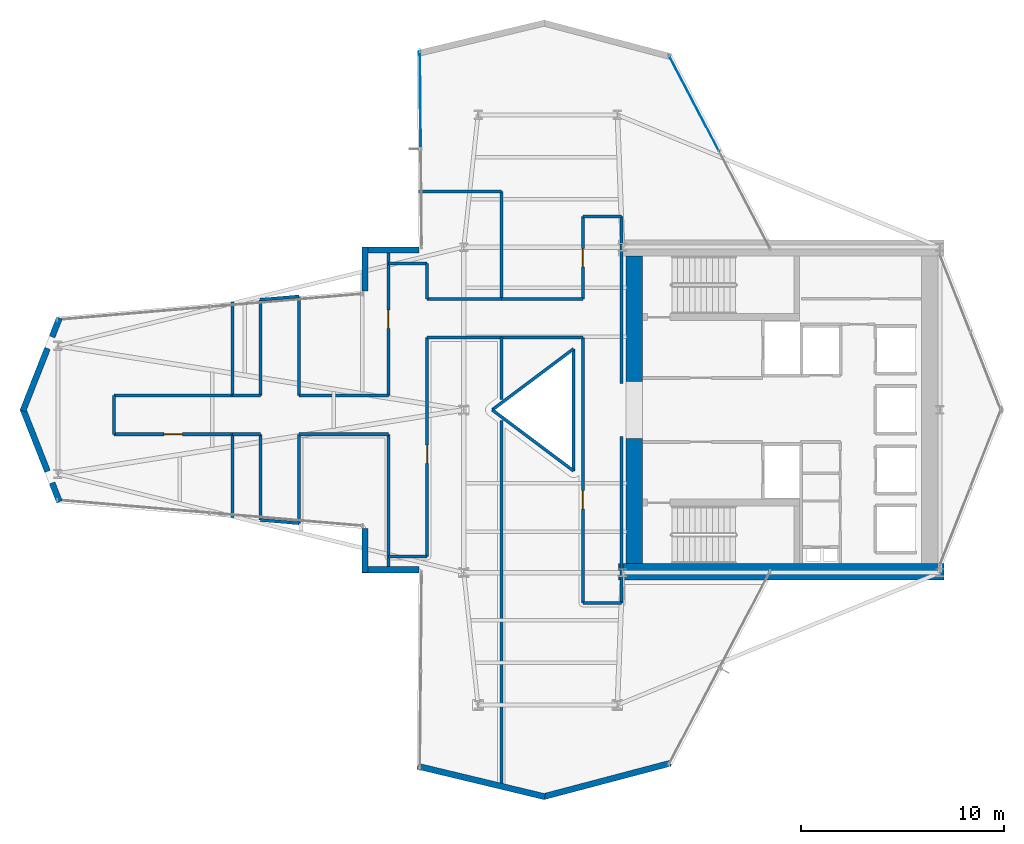
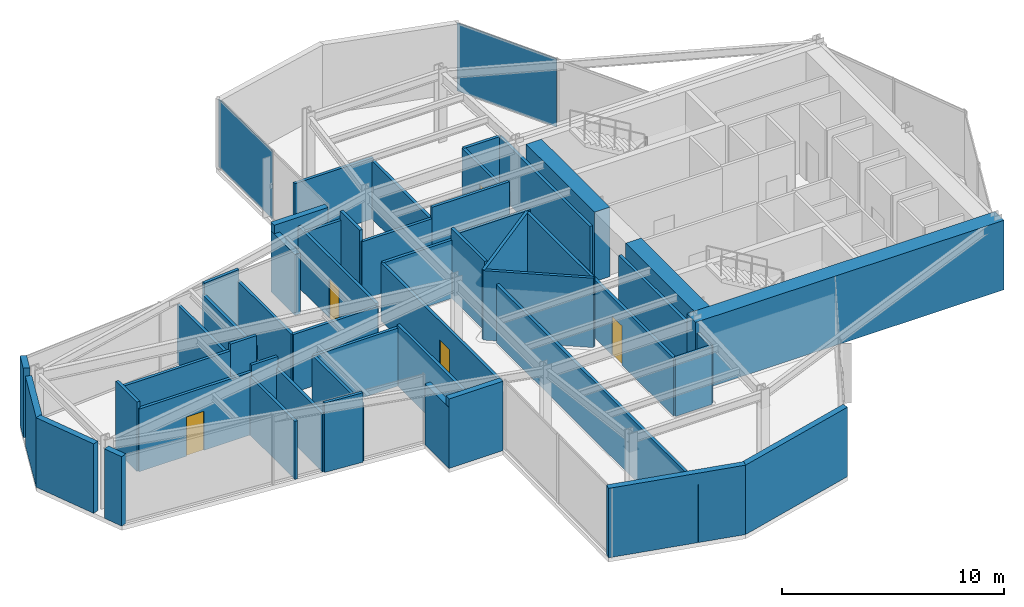
# One storey, part 21 of 25: 51 walls, 5 doors, 2 plates, 5 openings, 2 elements without a shape of their own.
"""IFC4 building model written with IfcOpenShell, lengths in metres."""

from ifc_helpers import new_model, si_unit, direction, frame, frame_2d, origin, origin_2d, place, context, subcontext, project, spatial, rectangle, extrude, material, layer, layer_set, type_object, element, fill, aggregate, save


model = new_model("IFC4")

# Units and contexts
model_context = context("Model", 3, precision=1e-05, world=origin(), true_north=direction((0.0, 1.0)))
body_context = subcontext(model_context, "Body", "Model", "MODEL_VIEW")
ifc_project = project(units=[si_unit("LENGTHUNIT", "METRE"), si_unit("AREAUNIT", "SQUARE_METRE"), si_unit("VOLUMEUNIT", "CUBIC_METRE"), si_unit("PLANEANGLEUNIT", "RADIAN"), si_unit("MASSUNIT", "GRAM", prefix="KILO")], contexts=[model_context])

# Site, building, storey
site_placement = place(None, origin())
site = spatial("IfcSite", under=ifc_project, at=site_placement, CompositionType="ELEMENT")
building_placement = place(site_placement, origin())
building = spatial("IfcBuilding", under=site, at=building_placement, Name="Veymaron Broadcast Tower", CompositionType="ELEMENT")
storey_placement = place(building_placement, frame((0.0, 0.0, 145.199951171875)))
storey = spatial("IfcBuildingStorey", under=building, at=storey_placement, Name="L33", CompositionType="ELEMENT", Elevation=145.199951171875)

# Curtain wall, plate
ifc_material_1 = material(Name="Anodised aluminium AA 6063-T6 and laminated low-E dark glass", Category="aluminium")
ifc_layer_1 = layer(ifc_material_1, 0.179931640625)
ifc_layer_set_1 = layer_set([ifc_layer_1], Name="Anodised aluminium AA 6063-T6 and laminated low-E dark glass")
curtain_wall_type = type_object("IfcCurtainWallType", Name="CW-SYS-03", PredefinedType="NOTDEFINED", material=ifc_layer_set_1)
curtain_wall_1_placement = place(storey_placement, origin())
curtain_wall_1 = element("IfcCurtainWall", 1, at=curtain_wall_1_placement, inside=storey, type_object=curtain_wall_type, Name="L33 dark-glass curtain wall CW-L33-E5-1", PredefinedType="NOTDEFINED")
ifc_material_2 = material(Name="Insulated dark-anodised aluminium spandrel panel 40 mm", Category="aluminium")
ifc_layer_2 = layer(ifc_material_2, 0.0400390625)
ifc_layer_set_2 = layer_set([ifc_layer_2], Name="Insulated dark-anodised aluminium spandrel panel 40 mm")
plate_type = type_object("IfcPlateType", Name="CW-PNL-03", PredefinedType="CURTAIN_PANEL", material=ifc_layer_set_2)
plate_1_placement = place(storey_placement, frame((42.519287109375, 39.06005859375, 0.0400390625), z_axis=(0.0, 0.0, 1.0), x_axis=(-0.46447113214, 0.885588260654, 0.0)))
plate_1 = element("IfcPlate", 2, at=plate_1_placement, type_object=plate_type, Name="CW-L33-E5-1 unitised curtain panel 1", PredefinedType="CURTAIN_PANEL", context=body_context, shape_type="SweptSolid", body=[
    extrude(rectangle(XDim=5.3037109375, YDim=0.0400390625, at=origin_2d()), origin(), (0.0, 0.0, 1.0), 3.72998046875),
])
aggregate(curtain_wall_1, [plate_1])

curtain_wall_2_placement = place(storey_placement, origin())
curtain_wall_2 = element("IfcCurtainWall", 3, at=curtain_wall_2_placement, inside=storey, type_object=curtain_wall_type, Name="L33 dark-glass curtain wall CW-L33-E8-1", PredefinedType="NOTDEFINED")
plate_2_placement = place(storey_placement, frame((29.064697265625, 39.23876953125, 0.0400390625), z_axis=(0.0, 0.0, 1.0), x_axis=(0.009354828341, -0.999956242636, 0.0)))
plate_2 = element("IfcPlate", 4, at=plate_2_placement, type_object=plate_type, Name="CW-L33-E8-1 unitised curtain panel 0", PredefinedType="CURTAIN_PANEL", context=body_context, shape_type="SweptSolid", body=[
    extrude(rectangle(XDim=4.76513671875, YDim=0.0400390625, at=origin_2d()), origin(), (0.0, 0.0, 1.0), 3.72998046875),
])
aggregate(curtain_wall_2, [plate_2])

# Walls
ifc_material_3 = material(Name="Precast concrete C40/50 with mineral-wool insulation", Category="concrete")
ifc_layer_3 = layer(ifc_material_3, 0.300048828125)
ifc_layer_set_3 = layer_set([ifc_layer_3], Name="Precast concrete C40/50 with mineral-wool insulation")
wall_type_1 = type_object("IfcWallType", Name="WALL-EXT-300", PredefinedType="STANDARD", material=ifc_layer_set_3)
wall_1_placement = place(storey_placement, frame((28.992431640625, 31.860107421875, 0.0), z_axis=(0.0, 0.0, 1.0), x_axis=(-1.0, 0.0, 0.0)))
element("IfcWall", 5, at=wall_1_placement, inside=storey, type_object=wall_type_1, Name="L33 notched corner facade pier 9-1", PredefinedType="STANDARD", context=body_context, shape_type="SweptSolid", body=[
    extrude(rectangle(XDim=2.79248046875, YDim=0.300048828125, at=frame_2d((1.396240234375, 0.0))), origin(), (0.0, 0.0, 1.0), 3.81005859375),
])
wall_2_placement = place(storey_placement, frame((26.340087890625, 32.0, 0.0), z_axis=(0.0, 0.0, 1.0), x_axis=(0.0, -1.0, 0.0)))
element("IfcWall", 6, at=wall_2_placement, inside=storey, type_object=wall_type_1, Name="L33 notched corner facade pier 10-1", PredefinedType="STANDARD", context=body_context, shape_type="SweptSolid", body=[
    extrude(rectangle(XDim=2.162109375, YDim=0.300048828125, at=frame_2d((1.0810546875, 0.0))), origin(), (0.0, 0.0, 1.0), 3.338134765625),
])
wall_3_placement = place(storey_placement, frame((11.330078125, 28.514404296875, 0.0), z_axis=(0.0, 0.0, 1.0), x_axis=(-0.36655033137, -0.930398223651, 0.0)))
element("IfcWall", 7, at=wall_3_placement, inside=storey, type_object=wall_type_1, Name="L33 notched corner facade pier 12-1", PredefinedType="STANDARD", context=body_context, shape_type="SweptSolid", body=[
    extrude(rectangle(XDim=0.992431640625, YDim=0.300048828125, at=frame_2d((0.49609375, 0.0))), origin(), (0.0, 0.0, 1.0), 3.81005859375),
])
for number, where, z_axis, x_axis, name in (
    (8, (10.741455078125, 27.021240234375, 0.0), (0.0, 0.0, 1.0), (-0.366733939115, -0.930325866512, 0.0), "L33 notched corner facade pier 12-2"),
    (9, (9.5302734375, 24.05126953125, 0.0), (0.0, 0.0, 1.0), (0.366733939115, -0.930325866512, 0.0), "L33 notched corner facade pier 13-1"),
):
    element("IfcWall", number, at=place(storey_placement, frame(where, z_axis=z_axis, x_axis=x_axis)), inside=storey, type_object=wall_type_1, Name=name, PredefinedType="STANDARD", context=body_context, shape_type="SweptSolid", body=[
        extrude(rectangle(XDim=3.302734375, YDim=0.300048828125, at=frame_2d((1.6513671875, 0.0))), origin(), (0.0, 0.0, 1.0), 3.81005859375),
    ])
wall_4_placement = place(storey_placement, frame((10.96630859375, 20.408935546875, 0.0), z_axis=(0.0, 0.0, 1.0), x_axis=(0.36655033137, -0.930398223651, 0.0)))
element("IfcWall", 10, at=wall_4_placement, inside=storey, type_object=wall_type_1, Name="L33 notched corner facade pier 13-2", PredefinedType="STANDARD", context=body_context, shape_type="SweptSolid", body=[
    extrude(rectangle(XDim=0.992431640625, YDim=0.300048828125, at=frame_2d((0.49609375, 0.0))), origin(), (0.0, 0.0, 1.0), 3.81005859375),
])
wall_5_placement = place(storey_placement, frame((26.340087890625, 18.162109375, 0.0), z_axis=(0.0, 0.0, 1.0), x_axis=(0.0, -1.0, 0.0)))
element("IfcWall", 11, at=wall_5_placement, inside=storey, type_object=wall_type_1, Name="L33 notched corner facade pier 15-1", PredefinedType="STANDARD", context=body_context, shape_type="SweptSolid", body=[
    extrude(rectangle(XDim=2.162109375, YDim=0.300048828125, at=frame_2d((1.0810546875, 0.0))), origin(), (0.0, 0.0, 1.0), 3.338134765625),
])
wall_6_placement = place(storey_placement, frame((26.199951171875, 16.139892578125, 0.0), z_axis=(0.0, 0.0, 1.0), x_axis=(1.0, 0.0, 0.0)))
element("IfcWall", 12, at=wall_6_placement, inside=storey, type_object=wall_type_1, Name="L33 notched corner facade pier 16-1", PredefinedType="STANDARD", context=body_context, shape_type="SweptSolid", body=[
    extrude(rectangle(XDim=2.79248046875, YDim=0.300048828125, at=frame_2d((1.396240234375, 0.0))), origin(), (0.0, 0.0, 1.0), 3.81005859375),
])
wall_7_placement = place(storey_placement, frame((28.934814453125, 6.486083984375, 0.0), z_axis=(0.0, 0.0, 1.0), x_axis=(0.972368674271, -0.233450554286, 0.0)))
element("IfcWall", 13, at=wall_7_placement, inside=storey, type_object=wall_type_1, Name="L33 notched corner facade pier 18-1", PredefinedType="STANDARD", context=body_context, shape_type="SweptSolid", body=[
    extrude(rectangle(XDim=6.42529296875, YDim=0.300048828125, at=frame_2d((3.212646484375, 0.0))), origin(), (0.0, 0.0, 1.0), 3.81005859375),
])
wall_8_placement = place(storey_placement, frame((35.1142578125, 4.9853515625, 0.0), z_axis=(0.0, 0.0, 1.0), x_axis=(0.966846094442, 0.255359804319, 0.0)))
element("IfcWall", 14, at=wall_8_placement, inside=storey, type_object=wall_type_1, Name="L33 notched corner facade pier 19-1", PredefinedType="STANDARD", context=body_context, shape_type="SweptSolid", body=[
    extrude(rectangle(XDim=6.462158203125, YDim=0.300048828125, at=frame_2d((3.23095703125, 0.0))), origin(), (0.0, 0.0, 1.0), 3.81005859375),
])

# Wall, opening, door
ifc_material_4 = material(Name="Gypsum fireboard and steel stud framing", Category="steel")
ifc_layer_4 = layer(ifc_material_4, 0.14990234375)
ifc_layer_set_4 = layer_set([ifc_layer_4], Name="Gypsum fireboard and steel stud framing")
wall_type_2 = type_object("IfcWallType", Name="WALL-FIRE-150", PredefinedType="PARTITIONING", material=ifc_layer_set_4)
wall_9_placement = place(storey_placement, frame((37.050048828125, 14.5, 0.0), z_axis=(0.0, 0.0, 1.0), x_axis=(0.0, 1.0, 0.0)))
wall_9 = element("IfcWall", 15, at=wall_9_placement, inside=storey, type_object=wall_type_2, Name="L33 partition IW-L33-P01", PredefinedType="PARTITIONING", context=body_context, shape_type="SweptSolid", body=[
    extrude(rectangle(XDim=13.050048828125, YDim=0.14990234375, at=frame_2d((6.52490234375, 0.0))), origin(), (0.0, 0.0, 1.0), 3.18994140625),
])
opening_1_placement = place(wall_9_placement, frame((4.635009765625, 0.0, 0.0)))
opening_1 = element("IfcOpeningElement", 16, at=opening_1_placement, cuts=wall_9, Name="Opening ID-RM2", PredefinedType="OPENING", context=body_context, shape_type="SweptSolid", body=[
    extrude(rectangle(XDim=0.89990234375, YDim=2.14990234375, at=frame_2d((0.449951171875, 1.074951171875))), frame((0.0, 0.0849609375, 0.0), z_axis=(0.0, -1.0, 0.0), x_axis=(1.0, 0.0, 0.0)), (0.0, 0.0, 1.0), 0.169921875),
])
ifc_material_5 = material(Name="Acoustic solid-core European oak veneer timber", Category="wood")
door_type = type_object("IfcDoorType", Name="DOOR-INT-900", OperationType="NOTDEFINED", PredefinedType="DOOR", material=ifc_material_5)
door_1_placement = place(opening_1_placement, frame((0.89990234375, 0.0, 0.0), z_axis=(0.0, 0.0, 1.0), x_axis=(-1.0, 0.0, 0.0)))
door_1 = element("IfcDoor", 17, at=door_1_placement, inside=storey, type_object=door_type, Name="L33 door DR-L33-P01", OperationType="SINGLE_SWING_RIGHT", OverallHeight=2.14990234375, OverallWidth=0.89990234375, PredefinedType="DOOR", context=body_context, shape_type="SweptSolid", body=[
    extrude(rectangle(XDim=0.89990234375, YDim=2.14990234375, at=frame_2d((0.449951171875, 1.074951171875))), frame((0.0, 0.02490234375, 0.0), z_axis=(0.0, -1.0, 0.0), x_axis=(1.0, 0.0, 0.0)), (0.0, 0.0, 1.0), 0.050048828125),
])
fill(opening_1, door_1)

wall_10_placement = place(storey_placement, frame((29.39990234375, 16.800048828125, 0.0), z_axis=(0.0, 0.0, 1.0), x_axis=(0.0, 1.0, 0.0)))
wall_10 = element("IfcWall", 18, at=wall_10_placement, inside=storey, type_object=wall_type_2, Name="L33 partition IW-L33-P05", PredefinedType="PARTITIONING", context=body_context, shape_type="SweptSolid", body=[
    extrude(rectangle(XDim=10.75, YDim=0.14990234375, at=frame_2d((5.375, 0.0))), origin(), (0.0, 0.0, 1.0), 3.18994140625),
])
opening_2_placement = place(wall_10_placement, frame((4.56494140625, 0.0, 0.0)))
opening_2 = element("IfcOpeningElement", 19, at=opening_2_placement, cuts=wall_10, Name="Opening ID-RM2", PredefinedType="OPENING", context=body_context, shape_type="SweptSolid", body=[
    extrude(rectangle(XDim=0.89990234375, YDim=2.14990234375, at=frame_2d((0.449951171875, 1.074951171875))), frame((0.0, 0.0849609375, 0.0), z_axis=(0.0, -1.0, 0.0), x_axis=(1.0, 0.0, 0.0)), (0.0, 0.0, 1.0), 0.169921875),
])
door_2_placement = place(opening_2_placement, frame((0.89990234375, 0.0, 0.0), z_axis=(0.0, 0.0, 1.0), x_axis=(-1.0, 0.0, 0.0)))
door_2 = element("IfcDoor", 20, at=door_2_placement, inside=storey, type_object=door_type, Name="L33 door DR-L33-P05", OperationType="SINGLE_SWING_RIGHT", OverallHeight=2.14990234375, OverallWidth=0.89990234375, PredefinedType="DOOR", context=body_context, shape_type="SweptSolid", body=[
    extrude(rectangle(XDim=0.89990234375, YDim=2.14990234375, at=frame_2d((0.449951171875, 1.074951171875))), frame((0.0, 0.02490234375, 0.0), z_axis=(0.0, -1.0, 0.0), x_axis=(1.0, 0.0, 0.0)), (0.0, 0.0, 1.0), 0.050048828125),
])
fill(opening_2, door_2)

wall_11_placement = place(storey_placement, frame((14.0, 22.800048828125, 0.0), z_axis=(0.0, 0.0, 1.0), x_axis=(1.0, 0.0, 0.0)))
wall_11 = element("IfcWall", 21, at=wall_11_placement, inside=storey, type_object=wall_type_2, Name="L33 partition IW-L33-P14", PredefinedType="PARTITIONING", context=body_context, shape_type="SweptSolid", body=[
    extrude(rectangle(XDim=5.8310546875, YDim=0.14990234375, at=frame_2d((2.91552734375, 0.0))), origin(), (0.0, 0.0, 1.0), 3.443115234375),
])
opening_3_placement = place(wall_11_placement, frame((2.465576171875, 0.0, 0.0)))
opening_3 = element("IfcOpeningElement", 22, at=opening_3_placement, cuts=wall_11, Name="Opening ID-RM2", PredefinedType="OPENING", context=body_context, shape_type="SweptSolid", body=[
    extrude(rectangle(XDim=0.89990234375, YDim=2.14990234375, at=frame_2d((0.449951171875, 1.074951171875))), frame((0.0, 0.0849609375, 0.0), z_axis=(0.0, -1.0, 0.0), x_axis=(1.0, 0.0, 0.0)), (0.0, 0.0, 1.0), 0.169921875),
])
door_3_placement = place(opening_3_placement, frame((0.89990234375, 0.0, 0.0), z_axis=(0.0, 0.0, 1.0), x_axis=(-1.0, 0.0, 0.0)))
door_3 = element("IfcDoor", 23, at=door_3_placement, inside=storey, type_object=door_type, Name="L33 door DR-L33-P14", OperationType="SINGLE_SWING_LEFT", OverallHeight=2.14990234375, OverallWidth=0.89990234375, PredefinedType="DOOR", context=body_context, shape_type="SweptSolid", body=[
    extrude(rectangle(XDim=0.89990234375, YDim=2.14990234375, at=frame_2d((0.449951171875, 1.074951171875))), frame((0.0, 0.02490234375, 0.0), z_axis=(0.0, -1.0, 0.0), x_axis=(1.0, 0.0, 0.0)), (0.0, 0.0, 1.0), 0.050048828125),
])
fill(opening_3, door_3)

wall_12_placement = place(storey_placement, frame((27.5, 24.699951171875, 0.0), z_axis=(0.0, 0.0, 1.0), x_axis=(0.0, 1.0, 0.0)))
wall_12 = element("IfcWall", 24, at=wall_12_placement, inside=storey, type_object=wall_type_2, Name="L33 partition IW-L33-P17", PredefinedType="PARTITIONING", context=body_context, shape_type="SweptSolid", body=[
    extrude(rectangle(XDim=7.16015625, YDim=0.14990234375, at=frame_2d((3.580078125, 0.0))), origin(), (0.0, 0.0, 1.0), 3.338134765625),
])
opening_4_placement = place(wall_12_placement, frame((3.31005859375, 0.0, 0.0)))
opening_4 = element("IfcOpeningElement", 25, at=opening_4_placement, cuts=wall_12, Name="Opening ID-RM2", PredefinedType="OPENING", context=body_context, shape_type="SweptSolid", body=[
    extrude(rectangle(XDim=0.89990234375, YDim=2.14990234375, at=frame_2d((0.449951171875, 1.074951171875))), frame((0.0, 0.0849609375, 0.0), z_axis=(0.0, -1.0, 0.0), x_axis=(1.0, 0.0, 0.0)), (0.0, 0.0, 1.0), 0.169921875),
])
door_4_placement = place(opening_4_placement, origin())
door_4 = element("IfcDoor", 26, at=door_4_placement, inside=storey, type_object=door_type, Name="L33 door DR-L33-P17", OperationType="SINGLE_SWING_RIGHT", OverallHeight=2.14990234375, OverallWidth=0.89990234375, PredefinedType="DOOR", context=body_context, shape_type="SweptSolid", body=[
    extrude(rectangle(XDim=0.89990234375, YDim=2.14990234375, at=frame_2d((0.449951171875, 1.074951171875))), frame((0.0, 0.02490234375, 0.0), z_axis=(0.0, -1.0, 0.0), x_axis=(1.0, 0.0, 0.0)), (0.0, 0.0, 1.0), 0.050048828125),
])
fill(opening_4, door_4)

wall_13_placement = place(storey_placement, frame((37.050048828125, 29.449951171875, 0.0), z_axis=(0.0, 0.0, 1.0), x_axis=(0.0, 1.0, 0.0)))
wall_13 = element("IfcWall", 27, at=wall_13_placement, inside=storey, type_object=wall_type_2, Name="L33 partition IW-L33-P27", PredefinedType="PARTITIONING", context=body_context, shape_type="SweptSolid", body=[
    extrude(rectangle(XDim=4.050048828125, YDim=0.14990234375, at=frame_2d((2.02490234375, 0.0))), origin(), (0.0, 0.0, 1.0), 3.18994140625),
])
opening_5_placement = place(wall_13_placement, frame((1.574951171875, 0.0, 0.0)))
opening_5 = element("IfcOpeningElement", 28, at=opening_5_placement, cuts=wall_13, Name="Opening ID-RM2", PredefinedType="OPENING", context=body_context, shape_type="SweptSolid", body=[
    extrude(rectangle(XDim=0.89990234375, YDim=2.14990234375, at=frame_2d((0.449951171875, 1.074951171875))), frame((0.0, 0.0849609375, 0.0), z_axis=(0.0, -1.0, 0.0), x_axis=(1.0, 0.0, 0.0)), (0.0, 0.0, 1.0), 0.169921875),
])
door_5_placement = place(opening_5_placement, origin())
door_5 = element("IfcDoor", 29, at=door_5_placement, inside=storey, type_object=door_type, Name="L33 door DR-L33-P27", OperationType="SINGLE_SWING_RIGHT", OverallHeight=2.14990234375, OverallWidth=0.89990234375, PredefinedType="DOOR", context=body_context, shape_type="SweptSolid", body=[
    extrude(rectangle(XDim=0.89990234375, YDim=2.14990234375, at=frame_2d((0.449951171875, 1.074951171875))), frame((0.0, 0.02490234375, 0.0), z_axis=(0.0, -1.0, 0.0), x_axis=(1.0, 0.0, 0.0)), (0.0, 0.0, 1.0), 0.050048828125),
])
fill(opening_5, door_5)

# Walls
wall_14_placement = place(storey_placement, frame((38.949951171875, 14.5, 0.0), z_axis=(0.0, 0.0, 1.0), x_axis=(0.0, 1.0, 0.0)))
element("IfcWall", 30, at=wall_14_placement, inside=storey, type_object=wall_type_2, Name="L33 partition IW-L33-P02", PredefinedType="PARTITIONING", context=body_context, shape_type="SweptSolid", body=[
    extrude(rectangle(XDim=8.199951171875, YDim=0.14990234375, at=frame_2d((4.10009765625, 0.0))), origin(), (0.0, 0.0, 1.0), 3.18994140625),
])
wall_15_placement = place(storey_placement, frame((33.0439453125, 27.550048828125, 0.0), z_axis=(0.0, 0.0, 1.0), x_axis=(1.0, 0.0, 0.0)))
element("IfcWall", 31, at=wall_15_placement, inside=storey, type_object=wall_type_2, Name="L33 partition IW-L33-P03", PredefinedType="PARTITIONING", context=body_context, shape_type="SweptSolid", body=[
    extrude(rectangle(XDim=4.006103515625, YDim=0.14990234375, at=frame_2d((2.0029296875, 0.0))), origin(), (0.0, 0.0, 1.0), 3.443115234375),
])
wall_16_placement = place(storey_placement, frame((37.050048828125, 14.5, 0.0), z_axis=(0.0, 0.0, 1.0), x_axis=(1.0, 0.0, 0.0)))
element("IfcWall", 32, at=wall_16_placement, inside=storey, type_object=wall_type_2, Name="L33 partition IW-L33-P04", PredefinedType="PARTITIONING", context=body_context, shape_type="SweptSolid", body=[
    extrude(rectangle(XDim=1.89990234375, YDim=0.14990234375, at=frame_2d((0.949951171875, 0.0))), origin(), (0.0, 0.0, 1.0), 3.18994140625),
])
wall_17_placement = place(storey_placement, frame((27.5, 16.139892578125, 0.0), z_axis=(0.0, 0.0, 1.0), x_axis=(0.0, 1.0, 0.0)))
element("IfcWall", 33, at=wall_17_placement, inside=storey, type_object=wall_type_2, Name="L33 partition IW-L33-P06", PredefinedType="PARTITIONING", context=body_context, shape_type="SweptSolid", body=[
    extrude(rectangle(XDim=6.66015625, YDim=0.14990234375, at=frame_2d((3.330078125, 0.0))), origin(), (0.0, 0.0, 1.0), 3.338134765625),
])
wall_18_placement = place(storey_placement, frame((23.10009765625, 22.800048828125, 0.0), z_axis=(0.0, 0.0, 1.0), x_axis=(1.0, 0.0, 0.0)))
element("IfcWall", 34, at=wall_18_placement, inside=storey, type_object=wall_type_2, Name="L33 partition IW-L33-P07", PredefinedType="PARTITIONING", context=body_context, shape_type="SweptSolid", body=[
    extrude(rectangle(XDim=4.39990234375, YDim=0.14990234375, at=frame_2d((2.199951171875, 0.0))), origin(), (0.0, 0.0, 1.0), 3.18994140625),
])
wall_19_placement = place(storey_placement, frame((23.10009765625, 18.425048828125, 0.0), z_axis=(0.0, 0.0, 1.0), x_axis=(0.0, 1.0, 0.0)))
element("IfcWall", 35, at=wall_19_placement, inside=storey, type_object=wall_type_2, Name="L33 partition IW-L33-P08", PredefinedType="PARTITIONING", context=body_context, shape_type="SweptSolid", body=[
    extrude(rectangle(XDim=4.375, YDim=0.14990234375, at=frame_2d((2.1875, 0.0))), origin(), (0.0, 0.0, 1.0), 3.18994140625),
])
wall_20_placement = place(storey_placement, frame((21.199951171875, 18.586181640625, 0.0), z_axis=(0.0, 0.0, 1.0), x_axis=(0.0, 1.0, 0.0)))
element("IfcWall", 36, at=wall_20_placement, inside=storey, type_object=wall_type_2, Name="L33 partition IW-L33-P09", PredefinedType="PARTITIONING", context=body_context, shape_type="SweptSolid", body=[
    extrude(rectangle(XDim=4.2138671875, YDim=0.14990234375, at=frame_2d((2.10693359375, 0.0))), origin(), (0.0, 0.0, 1.0), 3.18994140625),
])
wall_21_placement = place(storey_placement, frame((29.39990234375, 27.550048828125, 0.0), z_axis=(0.0, 0.0, 1.0), x_axis=(1.0, 0.0, 0.0)))
element("IfcWall", 37, at=wall_21_placement, inside=storey, type_object=wall_type_2, Name="L33 partition IW-L33-P10", PredefinedType="PARTITIONING", context=body_context, shape_type="SweptSolid", body=[
    extrude(rectangle(XDim=3.64404296875, YDim=0.14990234375, at=frame_2d((1.822021484375, 0.0))), origin(), (0.0, 0.0, 1.0), 3.18994140625),
])
wall_22_placement = place(storey_placement, frame((21.199951171875, 18.586181640625, 0.0), z_axis=(0.0, 0.0, 1.0), x_axis=(0.996423738921, -0.084496937902, 0.0)))
element("IfcWall", 38, at=wall_22_placement, inside=storey, type_object=wall_type_2, Name="L33 partition IW-L33-P11", PredefinedType="PARTITIONING", context=body_context, shape_type="SweptSolid", body=[
    extrude(rectangle(XDim=1.906982421875, YDim=0.14990234375, at=frame_2d((0.95361328125, 0.0))), origin(), (0.0, 0.0, 1.0), 3.81005859375),
])
wall_23_placement = place(storey_placement, frame((27.5, 16.800048828125, 0.0), z_axis=(0.0, 0.0, 1.0), x_axis=(1.0, 0.0, 0.0)))
element("IfcWall", 39, at=wall_23_placement, inside=storey, type_object=wall_type_2, Name="L33 partition IW-L33-P12", PredefinedType="PARTITIONING", context=body_context, shape_type="SweptSolid", body=[
    extrude(rectangle(XDim=1.89990234375, YDim=0.14990234375, at=frame_2d((0.949951171875, 0.0))), origin(), (0.0, 0.0, 1.0), 3.338134765625),
])
wall_24_placement = place(storey_placement, frame((19.8310546875, 22.800048828125, 0.0), z_axis=(0.0, 0.0, 1.0), x_axis=(1.0, 0.0, 0.0)))
element("IfcWall", 40, at=wall_24_placement, inside=storey, type_object=wall_type_2, Name="L33 partition IW-L33-P13", PredefinedType="PARTITIONING", context=body_context, shape_type="SweptSolid", body=[
    extrude(rectangle(XDim=1.368896484375, YDim=0.14990234375, at=frame_2d((0.6845703125, 0.0))), origin(), (0.0, 0.0, 1.0), 3.81005859375),
])
wall_25_placement = place(storey_placement, frame((14.0, 24.699951171875, 0.0), z_axis=(0.0, 0.0, 1.0), x_axis=(1.0, 0.0, 0.0)))
element("IfcWall", 41, at=wall_25_placement, inside=storey, type_object=wall_type_2, Name="L33 partition IW-L33-P15", PredefinedType="PARTITIONING", context=body_context, shape_type="SweptSolid", body=[
    extrude(rectangle(XDim=5.8310546875, YDim=0.14990234375, at=frame_2d((2.91552734375, 0.0))), origin(), (0.0, 0.0, 1.0), 3.443115234375),
])
wall_26_placement = place(storey_placement, frame((14.0, 22.800048828125, 0.0), z_axis=(0.0, 0.0, 1.0), x_axis=(0.0, 1.0, 0.0)))
element("IfcWall", 42, at=wall_26_placement, inside=storey, type_object=wall_type_2, Name="L33 partition IW-L33-P16", PredefinedType="PARTITIONING", context=body_context, shape_type="SweptSolid", body=[
    extrude(rectangle(XDim=1.89990234375, YDim=0.14990234375, at=frame_2d((0.949951171875, 0.0))), origin(), (0.0, 0.0, 1.0), 3.81005859375),
])
wall_27_placement = place(storey_placement, frame((23.10009765625, 24.699951171875, 0.0), z_axis=(0.0, 0.0, 1.0), x_axis=(0.0, 1.0, 0.0)))
element("IfcWall", 43, at=wall_27_placement, inside=storey, type_object=wall_type_2, Name="L33 partition IW-L33-P18", PredefinedType="PARTITIONING", context=body_context, shape_type="SweptSolid", body=[
    extrude(rectangle(XDim=4.875, YDim=0.14990234375, at=frame_2d((2.4375, 0.0))), origin(), (0.0, 0.0, 1.0), 3.18994140625),
])
wall_28_placement = place(storey_placement, frame((21.199951171875, 24.699951171875, 0.0), z_axis=(0.0, 0.0, 1.0), x_axis=(0.0, 1.0, 0.0)))
element("IfcWall", 44, at=wall_28_placement, inside=storey, type_object=wall_type_2, Name="L33 partition IW-L33-P19", PredefinedType="PARTITIONING", context=body_context, shape_type="SweptSolid", body=[
    extrude(rectangle(XDim=4.7138671875, YDim=0.14990234375, at=frame_2d((2.35693359375, 0.0))), origin(), (0.0, 0.0, 1.0), 3.18994140625),
])
wall_29_placement = place(storey_placement, frame((23.10009765625, 24.699951171875, 0.0), z_axis=(0.0, 0.0, 1.0), x_axis=(1.0, 0.0, 0.0)))
element("IfcWall", 45, at=wall_29_placement, inside=storey, type_object=wall_type_2, Name="L33 partition IW-L33-P20", PredefinedType="PARTITIONING", context=body_context, shape_type="SweptSolid", body=[
    extrude(rectangle(XDim=4.39990234375, YDim=0.14990234375, at=frame_2d((2.199951171875, 0.0))), origin(), (0.0, 0.0, 1.0), 3.18994140625),
])
wall_30_placement = place(storey_placement, frame((29.39990234375, 29.449951171875, 0.0), z_axis=(0.0, 0.0, 1.0), x_axis=(1.0, 0.0, 0.0)))
element("IfcWall", 46, at=wall_30_placement, inside=storey, type_object=wall_type_2, Name="L33 partition IW-L33-P21", PredefinedType="PARTITIONING", context=body_context, shape_type="SweptSolid", body=[
    extrude(rectangle(XDim=3.64404296875, YDim=0.14990234375, at=frame_2d((1.822021484375, 0.0))), origin(), (0.0, 0.0, 1.0), 3.18994140625),
])
wall_31_placement = place(storey_placement, frame((21.199951171875, 29.413818359375, 0.0), z_axis=(0.0, 0.0, 1.0), x_axis=(0.996423738921, 0.084496937902, 0.0)))
element("IfcWall", 47, at=wall_31_placement, inside=storey, type_object=wall_type_2, Name="L33 partition IW-L33-P22", PredefinedType="PARTITIONING", context=body_context, shape_type="SweptSolid", body=[
    extrude(rectangle(XDim=1.906982421875, YDim=0.14990234375, at=frame_2d((0.95361328125, 0.0))), origin(), (0.0, 0.0, 1.0), 3.81005859375),
])
wall_32_placement = place(storey_placement, frame((27.5, 31.199951171875, 0.0), z_axis=(0.0, 0.0, 1.0), x_axis=(1.0, 0.0, 0.0)))
element("IfcWall", 48, at=wall_32_placement, inside=storey, type_object=wall_type_2, Name="L33 partition IW-L33-P23", PredefinedType="PARTITIONING", context=body_context, shape_type="SweptSolid", body=[
    extrude(rectangle(XDim=1.89990234375, YDim=0.14990234375, at=frame_2d((0.949951171875, 0.0))), origin(), (0.0, 0.0, 1.0), 3.338134765625),
])
wall_33_placement = place(storey_placement, frame((29.39990234375, 29.449951171875, 0.0), z_axis=(0.0, 0.0, 1.0), x_axis=(0.0, 1.0, 0.0)))
element("IfcWall", 49, at=wall_33_placement, inside=storey, type_object=wall_type_2, Name="L33 partition IW-L33-P24", PredefinedType="PARTITIONING", context=body_context, shape_type="SweptSolid", body=[
    extrude(rectangle(XDim=1.75, YDim=0.14990234375, at=frame_2d((0.875, 0.0))), origin(), (0.0, 0.0, 1.0), 3.81005859375),
])
wall_34_placement = place(storey_placement, frame((19.8310546875, 24.699951171875, 0.0), z_axis=(0.0, 0.0, 1.0), x_axis=(1.0, 0.0, 0.0)))
element("IfcWall", 50, at=wall_34_placement, inside=storey, type_object=wall_type_2, Name="L33 partition IW-L33-P25", PredefinedType="PARTITIONING", context=body_context, shape_type="SweptSolid", body=[
    extrude(rectangle(XDim=1.368896484375, YDim=0.14990234375, at=frame_2d((0.6845703125, 0.0))), origin(), (0.0, 0.0, 1.0), 3.81005859375),
])
wall_35_placement = place(storey_placement, frame((38.949951171875, 25.300048828125, 0.0), z_axis=(0.0, 0.0, 1.0), x_axis=(0.0, 1.0, 0.0)))
element("IfcWall", 51, at=wall_35_placement, inside=storey, type_object=wall_type_2, Name="L33 partition IW-L33-P26", PredefinedType="PARTITIONING", context=body_context, shape_type="SweptSolid", body=[
    extrude(rectangle(XDim=8.199951171875, YDim=0.14990234375, at=frame_2d((4.10009765625, 0.0))), origin(), (0.0, 0.0, 1.0), 3.18994140625),
])
wall_36_placement = place(storey_placement, frame((33.0439453125, 29.449951171875, 0.0), z_axis=(0.0, 0.0, 1.0), x_axis=(1.0, 0.0, 0.0)))
element("IfcWall", 52, at=wall_36_placement, inside=storey, type_object=wall_type_2, Name="L33 partition IW-L33-P28", PredefinedType="PARTITIONING", context=body_context, shape_type="SweptSolid", body=[
    extrude(rectangle(XDim=4.006103515625, YDim=0.14990234375, at=frame_2d((2.0029296875, 0.0))), origin(), (0.0, 0.0, 1.0), 3.81005859375),
])
wall_37_placement = place(storey_placement, frame((37.050048828125, 33.5, 0.0), z_axis=(0.0, 0.0, 1.0), x_axis=(1.0, 0.0, 0.0)))
element("IfcWall", 53, at=wall_37_placement, inside=storey, type_object=wall_type_2, Name="L33 partition IW-L33-P29", PredefinedType="PARTITIONING", context=body_context, shape_type="SweptSolid", body=[
    extrude(rectangle(XDim=1.89990234375, YDim=0.14990234375, at=frame_2d((0.949951171875, 0.0))), origin(), (0.0, 0.0, 1.0), 3.18994140625),
])
ifc_material_6 = material(Name="Fire-rated laminated glass in aluminium frame", Category="aluminium")
ifc_layer_5 = layer(ifc_material_6, 0.14990234375)
ifc_layer_set_5 = layer_set([ifc_layer_5], Name="Fire-rated laminated glass in aluminium frame")
wall_type_3 = type_object("IfcWallType", Name="WALL-GLZ-150", PredefinedType="MOVABLE", material=ifc_layer_set_5)
wall_38_placement = place(storey_placement, frame((33.0439453125, 5.355712890625, 0.0), z_axis=(0.0, 0.0, 1.0), x_axis=(0.0, 1.0, 0.0)))
element("IfcWall", 54, at=wall_38_placement, inside=storey, type_object=wall_type_3, Name="L33 partition IW-L33-P30", PredefinedType="MOVABLE", context=body_context, shape_type="SweptSolid", body=[
    extrude(rectangle(XDim=18.123779296875, YDim=0.14990234375, at=frame_2d((9.06201171875, 0.0))), origin(), (0.0, 0.0, 1.0), 3.18994140625),
])
wall_39_placement = place(storey_placement, frame((33.0439453125, 24.5205078125, 0.0), z_axis=(0.0, 0.0, 1.0), x_axis=(0.0, 1.0, 0.0)))
element("IfcWall", 55, at=wall_39_placement, inside=storey, type_object=wall_type_3, Name="L33 partition IW-L33-P31", PredefinedType="MOVABLE", context=body_context, shape_type="SweptSolid", body=[
    extrude(rectangle(XDim=3.029541015625, YDim=0.14990234375, at=frame_2d((1.5146484375, 0.0))), origin(), (0.0, 0.0, 1.0), 3.81005859375),
])
wall_40_placement = place(storey_placement, frame((19.8310546875, 18.702392578125, 0.0), z_axis=(0.0, 0.0, 1.0), x_axis=(0.0, 1.0, 0.0)))
element("IfcWall", 56, at=wall_40_placement, inside=storey, type_object=wall_type_3, Name="L33 partition IW-L33-P32", PredefinedType="MOVABLE", context=body_context, shape_type="SweptSolid", body=[
    extrude(rectangle(XDim=4.09765625, YDim=0.14990234375, at=frame_2d((2.048828125, 0.0))), origin(), (0.0, 0.0, 1.0), 3.18994140625),
])
wall_41_placement = place(storey_placement, frame((19.8310546875, 24.699951171875, 0.0), z_axis=(0.0, 0.0, 1.0), x_axis=(0.0, 1.0, 0.0)))
element("IfcWall", 57, at=wall_41_placement, inside=storey, type_object=wall_type_3, Name="L33 partition IW-L33-P33", PredefinedType="MOVABLE", context=body_context, shape_type="SweptSolid", body=[
    extrude(rectangle(XDim=4.59765625, YDim=0.14990234375, at=frame_2d((2.298828125, 0.0))), origin(), (0.0, 0.0, 1.0), 3.18994140625),
])
wall_42_placement = place(storey_placement, frame((33.0439453125, 29.449951171875, 0.0), z_axis=(0.0, 0.0, 1.0), x_axis=(0.0, 1.0, 0.0)))
element("IfcWall", 58, at=wall_42_placement, inside=storey, type_object=wall_type_3, Name="L33 partition IW-L33-P34", PredefinedType="MOVABLE", context=body_context, shape_type="SweptSolid", body=[
    extrude(rectangle(XDim=5.274169921875, YDim=0.14990234375, at=frame_2d((2.63720703125, 0.0))), origin(), (0.0, 0.0, 1.0), 3.18994140625),
])
wall_43_placement = place(storey_placement, frame((28.967041015625, 34.72412109375, 0.0), z_axis=(0.0, 0.0, 1.0), x_axis=(1.0, 0.0, 0.0)))
element("IfcWall", 59, at=wall_43_placement, inside=storey, type_object=wall_type_3, Name="L33 partition IW-L33-P35", PredefinedType="MOVABLE", context=body_context, shape_type="SweptSolid", body=[
    extrude(rectangle(XDim=4.076904296875, YDim=0.14990234375, at=frame_2d((2.03857421875, 0.0))), origin(), (0.0, 0.0, 1.0), 3.338134765625),
])
wall_44_placement = place(storey_placement, frame((32.60009765625, 24.0, 0.0), z_axis=(0.0, 0.0, 1.0), x_axis=(0.8, -0.6, 0.0)))
element("IfcWall", 60, at=wall_44_placement, inside=storey, type_object=wall_type_3, Name="L33 partition IW-L33-ATR1", PredefinedType="MOVABLE", context=body_context, shape_type="SweptSolid", body=[
    extrude(rectangle(XDim=5.0, YDim=0.14990234375, at=frame_2d((2.5, 0.0))), origin(), (0.0, 0.0, 1.0), 3.81005859375),
])
wall_45_placement = place(storey_placement, frame((36.60009765625, 21.0, 0.0), z_axis=(0.0, 0.0, 1.0), x_axis=(0.0, 1.0, 0.0)))
element("IfcWall", 61, at=wall_45_placement, inside=storey, type_object=wall_type_3, Name="L33 partition IW-L33-ATR2", PredefinedType="MOVABLE", context=body_context, shape_type="SweptSolid", body=[
    extrude(rectangle(XDim=6.0, YDim=0.14990234375, at=frame_2d((3.0, 0.0))), origin(), (0.0, 0.0, 1.0), 3.81005859375),
])
wall_46_placement = place(storey_placement, frame((36.60009765625, 27.0, 0.0), z_axis=(0.0, 0.0, 1.0), x_axis=(-0.8, -0.6, 0.0)))
element("IfcWall", 62, at=wall_46_placement, inside=storey, type_object=wall_type_3, Name="L33 partition IW-L33-ATR3", PredefinedType="MOVABLE", context=body_context, shape_type="SweptSolid", body=[
    extrude(rectangle(XDim=5.0, YDim=0.14990234375, at=frame_2d((2.5, 0.0))), origin(), (0.0, 0.0, 1.0), 3.81005859375),
])
ifc_material_7 = material(Name="Concrete C60/75", Category="concrete")
ifc_layer_6 = layer(ifc_material_7, 0.800048828125)
ifc_layer_set_6 = layer_set([ifc_layer_6], Name="Concrete C60/75")
wall_type_4 = type_object("IfcWallType", Name="WALL-SHEAR-800", PredefinedType="SHEAR", material=ifc_layer_set_6)
wall_47_placement = place(storey_placement, frame((38.800048828125, 16.050048828125, 0.0), z_axis=(0.0, 0.0, 1.0), x_axis=(1.0, 0.0, 0.0)))
element("IfcWall", 63, at=wall_47_placement, inside=storey, type_object=wall_type_4, Name="L33 Core Wall south shear", PredefinedType="SHEAR", context=body_context, shape_type="SweptSolid", body=[
    extrude(rectangle(XDim=16.0, YDim=0.800048828125, at=frame_2d((8.0, 0.0))), origin(), (0.0, 0.0, 1.0), 3.81005859375),
])
for number, where, z_axis, x_axis, name in (
    (64, (39.580078125, 16.449951171875, 0.0), (0.0, 0.0, 1.0), (0.0, 1.0, 0.0), "L33 Core Wall west-south shear"),
    (65, (39.580078125, 25.39990234375, 0.0), (0.0, 0.0, 1.0), (0.0, 1.0, 0.0), "L33 Core Wall west-north shear"),
):
    element("IfcWall", number, at=place(storey_placement, frame(where, z_axis=z_axis, x_axis=x_axis)), inside=storey, type_object=wall_type_4, Name=name, PredefinedType="SHEAR", context=body_context, shape_type="SweptSolid", body=[
        extrude(rectangle(XDim=6.150146484375, YDim=0.800048828125, at=frame_2d((3.0751953125, 0.0))), origin(), (0.0, 0.0, 1.0), 3.81005859375),
    ])

save(model, "model.ifc")
